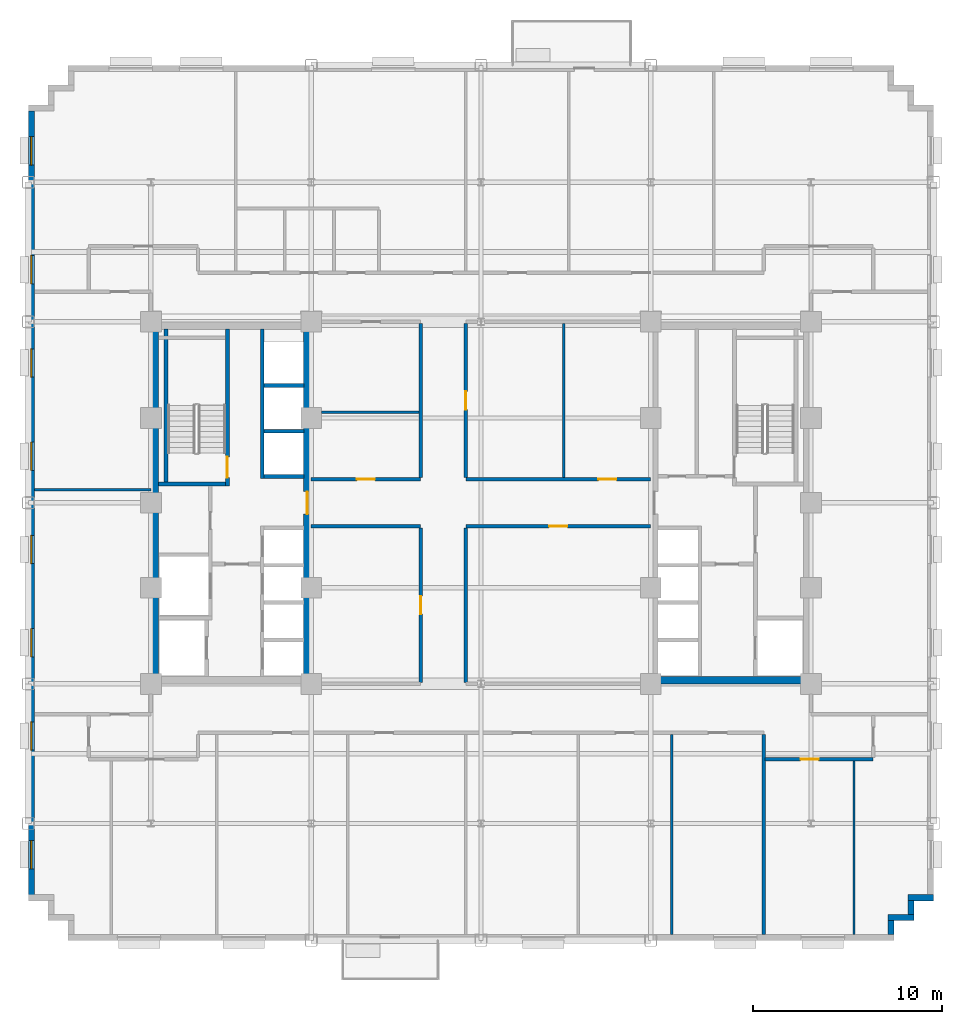
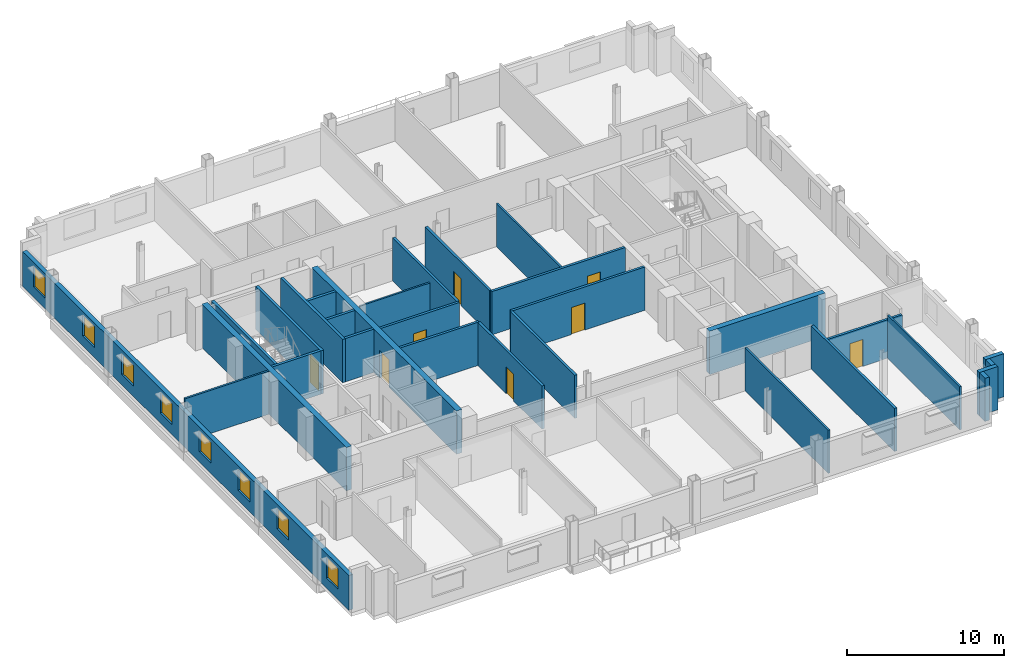
# One storey, part 7 of 14: 30 walls, 8 doors, 8 windows, 16 openings.
"""IFC4 building model written with IfcOpenShell, lengths in metres."""

from ifc_helpers import new_model, si_unit, direction, frame, frame_2d, origin, place, context, subcontext, project, spatial, rectangle, extrude, source, transform, mapped, material, layer, layer_set, type_object, type_shapes, element, fill, save


model = new_model("IFC4")

# Units and contexts
model_context = context("Model", 3, precision=1e-05, world=origin(), true_north=direction((0.0, 1.0)))
body_context = subcontext(model_context, "Body", "Model", "MODEL_VIEW")
ifc_project = project(units=[si_unit("LENGTHUNIT", "METRE"), si_unit("AREAUNIT", "SQUARE_METRE"), si_unit("VOLUMEUNIT", "CUBIC_METRE"), si_unit("PLANEANGLEUNIT", "RADIAN"), si_unit("MASSUNIT", "GRAM", prefix="KILO")], contexts=[model_context])

# Site, building, storey
site_placement = place(None, origin())
site = spatial("IfcSite", under=ifc_project, at=site_placement, CompositionType="ELEMENT")
building_placement = place(site_placement, origin())
building = spatial("IfcBuilding", under=site, at=building_placement, Name="Nuvemarco Arch Tower", CompositionType="ELEMENT")
storey_placement = place(building_placement, frame((0.0, 0.0, 98.300048828125)))
storey = spatial("IfcBuildingStorey", under=building, at=storey_placement, Name="L25", CompositionType="ELEMENT", Elevation=98.300048828125)

# Walls
ifc_material_1 = material(Name="Precast concrete C45/55", Category="concrete")
ifc_layer_1 = layer(ifc_material_1, 0.320068359375, Name="EW-MID-320")
ifc_layer_set_1 = layer_set([ifc_layer_1], Name="Precast concrete C45/55")
wall_type_1 = type_object("IfcWallType", Name="EW-MID-320", PredefinedType="STANDARD", material=ifc_layer_set_1)
wall_1_placement = place(storey_placement, frame((21.739990234375, -22.884033203125, 0.0), z_axis=(0.0, 0.0, 1.0), x_axis=(0.0, 1.0, 0.0)))
element("IfcWall", 1, at=wall_1_placement, inside=storey, type_object=wall_type_1, Name="L25 exterior precast facade wall 2", PredefinedType="STANDARD", context=body_context, shape_type="SweptSolid", body=[
    extrude(rectangle(XDim=0.738037109375, YDim=0.320068359375, at=frame_2d((0.369140625, 0.0))), origin(), (0.0, 0.0, 1.0), 3.35986328125),
])
wall_2_placement = place(storey_placement, frame((21.580078125, -21.989990234375, 0.0), z_axis=(0.0, 0.0, 1.0), x_axis=(1.0, 0.0, 0.0)))
element("IfcWall", 2, at=wall_2_placement, inside=storey, type_object=wall_type_1, Name="L25 exterior precast facade wall 3", PredefinedType="STANDARD", context=body_context, shape_type="SweptSolid", body=[
    extrude(rectangle(XDim=1.369873046875, YDim=0.320068359375, at=frame_2d((0.68505859375, 0.0))), origin(), (0.0, 0.0, 1.0), 3.35986328125),
])
wall_3_placement = place(storey_placement, frame((22.7900390625, -21.833984375, 0.0), z_axis=(0.0, 0.0, 1.0), x_axis=(0.0, 1.0, 0.0)))
element("IfcWall", 3, at=wall_3_placement, inside=storey, type_object=wall_type_1, Name="L25 exterior precast facade wall 4", PredefinedType="STANDARD", context=body_context, shape_type="SweptSolid", body=[
    extrude(rectangle(XDim=0.738037109375, YDim=0.320068359375, at=frame_2d((0.369140625, 0.0))), origin(), (0.0, 0.0, 1.0), 3.35986328125),
])
wall_4_placement = place(storey_placement, frame((22.6298828125, -20.93994140625, 0.0), z_axis=(0.0, 0.0, 1.0), x_axis=(1.0, 0.0, 0.0)))
element("IfcWall", 4, at=wall_4_placement, inside=storey, type_object=wall_type_1, Name="L25 exterior precast facade wall 5", PredefinedType="STANDARD", context=body_context, shape_type="SweptSolid", body=[
    extrude(rectangle(XDim=1.3701171875, YDim=0.320068359375, at=frame_2d((0.68505859375, 0.0))), origin(), (0.0, 0.0, 1.0), 3.35986328125),
])

# Wall, openings, windows
wall_5_placement = place(storey_placement, frame((-23.840087890625, -20.783935546875, 0.0), z_axis=(0.0, 0.0, 1.0), x_axis=(0.0, 1.0, 0.0)))
wall_5 = element("IfcWall", 5, at=wall_5_placement, inside=storey, type_object=wall_type_1, Name="L25 exterior precast facade wall 16", PredefinedType="STANDARD", context=body_context, shape_type="SweptSolid", body=[
    extrude(rectangle(XDim=41.56787109375, YDim=0.320068359375, at=frame_2d((20.783935546875, 0.0))), origin(), (0.0, 0.0, 1.0), 2.704833984375),
])
opening_1_placement = place(wall_5_placement, frame((1.373046875, 0.0, 0.800048828125)))
opening_1 = element("IfcOpeningElement", 6, at=opening_1_placement, cuts=wall_5, Name="Opening WN-11", PredefinedType="OPENING", context=body_context, shape_type="SweptSolid", body=[
    extrude(rectangle(XDim=1.5, YDim=1.60009765625, at=frame_2d((0.75, 0.800048828125))), frame((0.0, 0.169921875, 0.0), z_axis=(0.0, -1.0, 0.0), x_axis=(1.0, 0.0, 0.0)), (0.0, 0.0, 1.0), 0.340087890625),
])
opening_2_placement = place(wall_5_placement, frame((7.6689453125, 0.0, 0.800048828125)))
opening_2 = element("IfcOpeningElement", 7, at=opening_2_placement, cuts=wall_5, Name="Opening WN-11", PredefinedType="OPENING", context=body_context, shape_type="SweptSolid", body=[
    extrude(rectangle(XDim=1.5, YDim=1.60009765625, at=frame_2d((0.75, 0.800048828125))), frame((0.0, 0.169921875, 0.0), z_axis=(0.0, -1.0, 0.0), x_axis=(1.0, 0.0, 0.0)), (0.0, 0.0, 1.0), 0.340087890625),
])
opening_3_placement = place(wall_5_placement, frame((12.614990234375, 0.0, 0.800048828125)))
opening_3 = element("IfcOpeningElement", 8, at=opening_3_placement, cuts=wall_5, Name="Opening WN-11", PredefinedType="OPENING", context=body_context, shape_type="SweptSolid", body=[
    extrude(rectangle(XDim=1.5, YDim=1.60009765625, at=frame_2d((0.75, 0.800048828125))), frame((0.0, 0.169921875, 0.0), z_axis=(0.0, -1.0, 0.0), x_axis=(1.0, 0.0, 0.0)), (0.0, 0.0, 1.0), 0.340087890625),
])
opening_4_placement = place(wall_5_placement, frame((17.56103515625, 0.0, 0.800048828125)))
opening_4 = element("IfcOpeningElement", 9, at=opening_4_placement, cuts=wall_5, Name="Opening WN-11", PredefinedType="OPENING", context=body_context, shape_type="SweptSolid", body=[
    extrude(rectangle(XDim=1.5, YDim=1.60009765625, at=frame_2d((0.75, 0.800048828125))), frame((0.0, 0.169921875, 0.0), z_axis=(0.0, -1.0, 0.0), x_axis=(1.0, 0.0, 0.0)), (0.0, 0.0, 1.0), 0.340087890625),
])
opening_5_placement = place(wall_5_placement, frame((22.507080078125, 0.0, 0.800048828125)))
opening_5 = element("IfcOpeningElement", 10, at=opening_5_placement, cuts=wall_5, Name="Opening WN-11", PredefinedType="OPENING", context=body_context, shape_type="SweptSolid", body=[
    extrude(rectangle(XDim=1.5, YDim=1.60009765625, at=frame_2d((0.75, 0.800048828125))), frame((0.0, 0.169921875, 0.0), z_axis=(0.0, -1.0, 0.0), x_axis=(1.0, 0.0, 0.0)), (0.0, 0.0, 1.0), 0.340087890625),
])
opening_6_placement = place(wall_5_placement, frame((27.452880859375, 0.0, 0.800048828125)))
opening_6 = element("IfcOpeningElement", 11, at=opening_6_placement, cuts=wall_5, Name="Opening WN-11", PredefinedType="OPENING", context=body_context, shape_type="SweptSolid", body=[
    extrude(rectangle(XDim=1.5, YDim=1.60009765625, at=frame_2d((0.75, 0.800048828125))), frame((0.0, 0.169921875, 0.0), z_axis=(0.0, -1.0, 0.0), x_axis=(1.0, 0.0, 0.0)), (0.0, 0.0, 1.0), 0.340087890625),
])
opening_7_placement = place(wall_5_placement, frame((32.39892578125, 0.0, 0.800048828125)))
opening_7 = element("IfcOpeningElement", 12, at=opening_7_placement, cuts=wall_5, Name="Opening WN-11", PredefinedType="OPENING", context=body_context, shape_type="SweptSolid", body=[
    extrude(rectangle(XDim=1.5, YDim=1.60009765625, at=frame_2d((0.75, 0.800048828125))), frame((0.0, 0.169921875, 0.0), z_axis=(0.0, -1.0, 0.0), x_axis=(1.0, 0.0, 0.0)), (0.0, 0.0, 1.0), 0.340087890625),
])
opening_8_placement = place(wall_5_placement, frame((38.695068359375, 0.0, 0.800048828125)))
opening_8 = element("IfcOpeningElement", 13, at=opening_8_placement, cuts=wall_5, Name="Opening WN-11", PredefinedType="OPENING", context=body_context, shape_type="SweptSolid", body=[
    extrude(rectangle(XDim=1.5, YDim=1.60009765625, at=frame_2d((0.75, 0.800048828125))), frame((0.0, 0.169921875, 0.0), z_axis=(0.0, -1.0, 0.0), x_axis=(1.0, 0.0, 0.0)), (0.0, 0.0, 1.0), 0.340087890625),
])
ifc_material_2 = material(Name="Insulated solar-control glass", Category="glass")
window_type = type_object("IfcWindowType", Name="WN-STEP-1500x1850", PartitioningType="SINGLE_PANEL", PredefinedType="WINDOW", material=ifc_material_2)
shared_shape_1 = source(origin(), body_context, "Body", "SweptSolid", [
    extrude(rectangle(XDim=1.5, YDim=1.60009765625, at=frame_2d((0.75, 0.800048828125))), frame((0.0, 0.030029296875, 0.0), z_axis=(0.0, -1.0, 0.0), x_axis=(1.0, 0.0, 0.0)), (0.0, 0.0, 1.0), 0.06005859375),
])
type_shapes(window_type, [shared_shape_1])
window_1_placement = place(opening_1_placement, origin())
window_1 = element("IfcWindow", 14, at=window_1_placement, inside=storey, type_object=window_type, Name="L25 punched facade window 1", OverallHeight=1.60009765625, OverallWidth=1.5, PartitioningType="SINGLE_PANEL", PredefinedType="WINDOW", context=body_context, shape_type="MappedRepresentation", body=[
    mapped(shared_shape_1, transform((0.0, 0.0, 0.0), scale=1.0)),
])
fill(opening_1, window_1)
window_2_placement = place(opening_2_placement, origin())
window_2 = element("IfcWindow", 15, at=window_2_placement, inside=storey, type_object=window_type, Name="L25 punched facade window 2", OverallHeight=1.60009765625, OverallWidth=1.5, PartitioningType="SINGLE_PANEL", PredefinedType="WINDOW", context=body_context, shape_type="MappedRepresentation", body=[
    mapped(shared_shape_1, transform((0.0, 0.0, 0.0), scale=1.0)),
])
fill(opening_2, window_2)
window_3_placement = place(opening_3_placement, origin())
window_3 = element("IfcWindow", 16, at=window_3_placement, inside=storey, type_object=window_type, Name="L25 punched facade window 3", OverallHeight=1.60009765625, OverallWidth=1.5, PartitioningType="SINGLE_PANEL", PredefinedType="WINDOW", context=body_context, shape_type="MappedRepresentation", body=[
    mapped(shared_shape_1, transform((0.0, 0.0, 0.0), scale=1.0)),
])
fill(opening_3, window_3)
window_4_placement = place(opening_4_placement, origin())
window_4 = element("IfcWindow", 17, at=window_4_placement, inside=storey, type_object=window_type, Name="L25 punched facade window 4", OverallHeight=1.60009765625, OverallWidth=1.5, PartitioningType="SINGLE_PANEL", PredefinedType="WINDOW", context=body_context, shape_type="MappedRepresentation", body=[
    mapped(shared_shape_1, transform((0.0, 0.0, 0.0), scale=1.0)),
])
fill(opening_4, window_4)
window_5_placement = place(opening_5_placement, origin())
window_5 = element("IfcWindow", 18, at=window_5_placement, inside=storey, type_object=window_type, Name="L25 punched facade window 5", OverallHeight=1.60009765625, OverallWidth=1.5, PartitioningType="SINGLE_PANEL", PredefinedType="WINDOW", context=body_context, shape_type="MappedRepresentation", body=[
    mapped(shared_shape_1, transform((0.0, 0.0, 0.0), scale=1.0)),
])
fill(opening_5, window_5)
window_6_placement = place(opening_6_placement, origin())
window_6 = element("IfcWindow", 19, at=window_6_placement, inside=storey, type_object=window_type, Name="L25 punched facade window 6", OverallHeight=1.60009765625, OverallWidth=1.5, PartitioningType="SINGLE_PANEL", PredefinedType="WINDOW", context=body_context, shape_type="MappedRepresentation", body=[
    mapped(shared_shape_1, transform((0.0, 0.0, 0.0), scale=1.0)),
])
fill(opening_6, window_6)
window_7_placement = place(opening_7_placement, origin())
window_7 = element("IfcWindow", 20, at=window_7_placement, inside=storey, type_object=window_type, Name="L25 punched facade window 7", OverallHeight=1.60009765625, OverallWidth=1.5, PartitioningType="SINGLE_PANEL", PredefinedType="WINDOW", context=body_context, shape_type="MappedRepresentation", body=[
    mapped(shared_shape_1, transform((0.0, 0.0, 0.0), scale=1.0)),
])
fill(opening_7, window_7)
window_8_placement = place(opening_8_placement, origin())
window_8 = element("IfcWindow", 21, at=window_8_placement, inside=storey, type_object=window_type, Name="L25 punched facade window 8", OverallHeight=1.60009765625, OverallWidth=1.5, PartitioningType="SINGLE_PANEL", PredefinedType="WINDOW", context=body_context, shape_type="MappedRepresentation", body=[
    mapped(shared_shape_1, transform((0.0, 0.0, 0.0), scale=1.0)),
])
fill(opening_8, window_8)

# Wall
ifc_material_3 = material(Name="Concrete C60/75", Category="concrete")
ifc_layer_2 = layer(ifc_material_3, 0.39990234375, Name="WL-CORE-400")
ifc_layer_set_2 = layer_set([ifc_layer_2], Name="Concrete C60/75")
wall_type_2 = type_object("IfcWallType", Name="WL-CORE-400", PredefinedType="SHEAR", material=ifc_layer_set_2)
wall_6_placement = place(storey_placement, frame((-17.300048828125, -9.205078125, 0.0), z_axis=(0.0, 0.0, 1.0), x_axis=(0.0, 1.0, 0.0)))
element("IfcWall", 22, at=wall_6_placement, inside=storey, type_object=wall_type_2, Name="L25 W-core shear wall W", PredefinedType="SHEAR", context=body_context, shape_type="SweptSolid", body=[
    extrude(rectangle(XDim=18.41015625, YDim=0.39990234375, at=frame_2d((9.205078125, 0.0))), origin(), (0.0, 0.0, 1.0), 3.369873046875),
])

# Wall, opening, door
wall_7_placement = place(storey_placement, frame((-9.199951171875, -9.205078125, 0.0), z_axis=(0.0, 0.0, 1.0), x_axis=(0.0, 1.0, 0.0)))
wall_7 = element("IfcWall", 23, at=wall_7_placement, inside=storey, type_object=wall_type_2, Name="L25 W-core shear wall E", PredefinedType="SHEAR", context=body_context, shape_type="SweptSolid", body=[
    extrude(rectangle(XDim=18.41015625, YDim=0.39990234375, at=frame_2d((9.205078125, 0.0))), origin(), (0.0, 0.0, 1.0), 3.369873046875),
])
opening_9_placement = place(wall_7_placement, frame((8.60498046875, 0.0, 0.0)))
opening_9 = element("IfcOpeningElement", 24, at=opening_9_placement, cuts=wall_7, Name="Opening FD-2", PredefinedType="OPENING", context=body_context, shape_type="SweptSolid", body=[
    extrude(rectangle(XDim=1.199951171875, YDim=2.14990234375, at=frame_2d((0.60009765625, 1.074951171875))), frame((0.0, 0.2099609375, 0.0), z_axis=(0.0, -1.0, 0.0), x_axis=(1.0, 0.0, 0.0)), (0.0, 0.0, 1.0), 0.419921875),
])
ifc_material_4 = material(Name="Anodised steel fire door", Category="steel")
door_type_1 = type_object("IfcDoorType", Name="DR-FFLOB-FD", OperationType="NOTDEFINED", PredefinedType="DOOR", material=ifc_material_4)
shared_shape_2 = source(origin(), body_context, "Body", "SweptSolid", [
    extrude(rectangle(XDim=1.199951171875, YDim=2.14990234375, at=frame_2d((0.60009765625, 1.074951171875))), frame((0.0, 0.02490234375, 0.0), z_axis=(0.0, -1.0, 0.0), x_axis=(1.0, 0.0, 0.0)), (0.0, 0.0, 1.0), 0.050048828125),
])
type_shapes(door_type_1, [shared_shape_2])
door_1_placement = place(opening_9_placement, origin())
door_1 = element("IfcDoor", 25, at=door_1_placement, inside=storey, type_object=door_type_1, Name="L25 door FD-L25-WCORE-E", OperationType="SINGLE_SWING_RIGHT", OverallHeight=2.14990234375, OverallWidth=1.199951171875, PredefinedType="DOOR", context=body_context, shape_type="MappedRepresentation", body=[
    mapped(shared_shape_2, transform((0.0, 0.0, 0.0), scale=1.0)),
])
fill(opening_9, door_1)

# Wall
wall_8_placement = place(storey_placement, frame((9.0, -9.39990234375, 0.0), z_axis=(0.0, 0.0, 1.0), x_axis=(1.0, 0.0, 0.0)))
element("IfcWall", 26, at=wall_8_placement, inside=storey, type_object=wall_type_2, Name="L25 E-core shear wall S", PredefinedType="SHEAR", context=body_context, shape_type="SweptSolid", body=[
    extrude(rectangle(XDim=8.5, YDim=0.39990234375, at=frame_2d((4.25, 0.0))), origin(), (0.0, 0.0, 1.0), 3.369873046875),
])

# Wall, opening, door
ifc_material_5 = material(Name="Fire-rated gypsum drywall partition")
ifc_layer_3 = layer(ifc_material_5, 0.179931640625, Name="WL-CORR-180")
ifc_layer_set_3 = layer_set([ifc_layer_3], Name="Fire-rated gypsum drywall partition")
wall_type_3 = type_object("IfcWallType", Name="WL-CORR-180", PredefinedType="PARTITIONING", material=ifc_layer_set_3)
wall_9_placement = place(storey_placement, frame((15.070068359375, -13.60009765625, 0.0), z_axis=(0.0, 0.0, 1.0), x_axis=(1.0, 0.0, 0.0)))
wall_9 = element("IfcWall", 27, at=wall_9_placement, inside=storey, type_object=wall_type_3, Name="L25 interior wall IW-L25-002", PredefinedType="PARTITIONING", context=body_context, shape_type="SweptSolid", body=[
    extrude(rectangle(XDim=5.72998046875, YDim=0.179931640625, at=frame_2d((2.864990234375, 0.0))), origin(), (0.0, 0.0, 1.0), 2.998046875),
])
opening_10_placement = place(wall_9_placement, frame((1.875, 0.0, 0.0)))
opening_10 = element("IfcOpeningElement", 28, at=opening_10_placement, cuts=wall_9, Name="Opening FD-5", PredefinedType="OPENING", context=body_context, shape_type="SweptSolid", body=[
    extrude(rectangle(XDim=0.9599609375, YDim=2.10009765625, at=frame_2d((0.47998046875, 1.050048828125))), frame((0.0, 0.099853515625, 0.0), z_axis=(0.0, -1.0, 0.0), x_axis=(1.0, 0.0, 0.0)), (0.0, 0.0, 1.0), 0.199951171875),
])
ifc_material_6 = material(Name="Timber fire door", Category="wood")
door_type_2 = type_object("IfcDoorType", Name="DR-CORR-FD", OperationType="NOTDEFINED", PredefinedType="DOOR", material=ifc_material_6)
shared_shape_3 = source(origin(), body_context, "Body", "SweptSolid", [
    extrude(rectangle(XDim=0.9599609375, YDim=2.10009765625, at=frame_2d((0.47998046875, 1.050048828125))), frame((0.0, 0.02490234375, 0.0), z_axis=(0.0, -1.0, 0.0), x_axis=(1.0, 0.0, 0.0)), (0.0, 0.0, 1.0), 0.050048828125),
])
type_shapes(door_type_2, [shared_shape_3])
door_2_placement = place(opening_10_placement, origin())
door_2 = element("IfcDoor", 29, at=door_2_placement, inside=storey, type_object=door_type_2, Name="L25 door DR-L25-S_8", OperationType="SINGLE_SWING_LEFT", OverallHeight=2.10009765625, OverallWidth=0.9599609375, PredefinedType="DOOR", context=body_context, shape_type="MappedRepresentation", body=[
    mapped(shared_shape_3, transform((0.0, 0.0, 0.0), scale=1.0)),
])
fill(opening_10, door_2)

# Wall
wall_10_placement = place(storey_placement, frame((-9.0, -1.25, 0.0), z_axis=(0.0, 0.0, 1.0), x_axis=(1.0, 0.0, 0.0)))
element("IfcWall", 30, at=wall_10_placement, inside=storey, type_object=wall_type_3, Name="L25 interior wall IW-L25-009", PredefinedType="PARTITIONING", context=body_context, shape_type="SweptSolid", body=[
    extrude(rectangle(XDim=5.800048828125, YDim=0.179931640625, at=frame_2d((2.89990234375, 0.0))), origin(), (0.0, 0.0, 1.0), 3.35986328125),
])

# Wall, opening, door
wall_11_placement = place(storey_placement, frame((-0.800048828125, -1.25, 0.0), z_axis=(0.0, 0.0, 1.0), x_axis=(1.0, 0.0, 0.0)))
wall_11 = element("IfcWall", 31, at=wall_11_placement, inside=storey, type_object=wall_type_3, Name="L25 interior wall IW-L25-010", PredefinedType="PARTITIONING", context=body_context, shape_type="SweptSolid", body=[
    extrude(rectangle(XDim=9.800048828125, YDim=0.179931640625, at=frame_2d((4.89990234375, 0.0))), origin(), (0.0, 0.0, 1.0), 3.35986328125),
])
opening_11_placement = place(wall_11_placement, frame((4.419921875, 0.0, 0.0)))
opening_11 = element("IfcOpeningElement", 32, at=opening_11_placement, cuts=wall_11, Name="Opening FD-5", PredefinedType="OPENING", context=body_context, shape_type="SweptSolid", body=[
    extrude(rectangle(XDim=0.9599609375, YDim=2.10009765625, at=frame_2d((0.47998046875, 1.050048828125))), frame((0.0, 0.099853515625, 0.0), z_axis=(0.0, -1.0, 0.0), x_axis=(1.0, 0.0, 0.0)), (0.0, 0.0, 1.0), 0.199951171875),
])
door_3_placement = place(opening_11_placement, origin())
door_3 = element("IfcDoor", 33, at=door_3_placement, inside=storey, type_object=door_type_2, Name="L25 door DR-L25-C_SE", OperationType="SINGLE_SWING_RIGHT", OverallHeight=2.10009765625, OverallWidth=0.9599609375, PredefinedType="DOOR", context=body_context, shape_type="MappedRepresentation", body=[
    mapped(shared_shape_3, transform((0.0, 0.0, 0.0), scale=1.0)),
])
fill(opening_11, door_3)

wall_12_placement = place(storey_placement, frame((-9.0, 1.25, 0.0), z_axis=(0.0, 0.0, 1.0), x_axis=(1.0, 0.0, 0.0)))
wall_12 = element("IfcWall", 34, at=wall_12_placement, inside=storey, type_object=wall_type_3, Name="L25 interior wall IW-L25-012", PredefinedType="PARTITIONING", context=body_context, shape_type="SweptSolid", body=[
    extrude(rectangle(XDim=5.800048828125, YDim=0.179931640625, at=frame_2d((2.89990234375, 0.0))), origin(), (0.0, 0.0, 1.0), 3.35986328125),
])
opening_12_placement = place(wall_12_placement, frame((2.419921875, 0.0, 0.0)))
opening_12 = element("IfcOpeningElement", 35, at=opening_12_placement, cuts=wall_12, Name="Opening FD-5", PredefinedType="OPENING", context=body_context, shape_type="SweptSolid", body=[
    extrude(rectangle(XDim=0.9599609375, YDim=2.10009765625, at=frame_2d((0.47998046875, 1.050048828125))), frame((0.0, 0.099853515625, 0.0), z_axis=(0.0, -1.0, 0.0), x_axis=(1.0, 0.0, 0.0)), (0.0, 0.0, 1.0), 0.199951171875),
])
door_4_placement = place(opening_12_placement, origin())
door_4 = element("IfcDoor", 36, at=door_4_placement, inside=storey, type_object=door_type_2, Name="L25 door DR-L25-C_NW1", OperationType="SINGLE_SWING_RIGHT", OverallHeight=2.10009765625, OverallWidth=0.9599609375, PredefinedType="DOOR", context=body_context, shape_type="MappedRepresentation", body=[
    mapped(shared_shape_3, transform((0.0, 0.0, 0.0), scale=1.0)),
])
fill(opening_12, door_4)

wall_13_placement = place(storey_placement, frame((-0.800048828125, 1.25, 0.0), z_axis=(0.0, 0.0, 1.0), x_axis=(1.0, 0.0, 0.0)))
wall_13 = element("IfcWall", 37, at=wall_13_placement, inside=storey, type_object=wall_type_3, Name="L25 interior wall IW-L25-013", PredefinedType="PARTITIONING", context=body_context, shape_type="SweptSolid", body=[
    extrude(rectangle(XDim=9.800048828125, YDim=0.179931640625, at=frame_2d((4.89990234375, 0.0))), origin(), (0.0, 0.0, 1.0), 3.35986328125),
])
opening_13_placement = place(wall_13_placement, frame((7.02001953125, 0.0, 0.0)))
opening_13 = element("IfcOpeningElement", 38, at=opening_13_placement, cuts=wall_13, Name="Opening FD-5", PredefinedType="OPENING", context=body_context, shape_type="SweptSolid", body=[
    extrude(rectangle(XDim=0.9599609375, YDim=2.10009765625, at=frame_2d((0.47998046875, 1.050048828125))), frame((0.0, 0.099853515625, 0.0), z_axis=(0.0, -1.0, 0.0), x_axis=(1.0, 0.0, 0.0)), (0.0, 0.0, 1.0), 0.199951171875),
])
door_5_placement = place(opening_13_placement, origin())
door_5 = element("IfcDoor", 39, at=door_5_placement, inside=storey, type_object=door_type_2, Name="L25 door DR-L25-C_NE2", OperationType="SINGLE_SWING_RIGHT", OverallHeight=2.10009765625, OverallWidth=0.9599609375, PredefinedType="DOOR", context=body_context, shape_type="MappedRepresentation", body=[
    mapped(shared_shape_3, transform((0.0, 0.0, 0.0), scale=1.0)),
])
fill(opening_13, door_5)

wall_14_placement = place(storey_placement, frame((-3.199951171875, -9.513916015625, 0.0), z_axis=(0.0, 0.0, 1.0), x_axis=(0.0, 1.0, 0.0)))
wall_14 = element("IfcWall", 40, at=wall_14_placement, inside=storey, type_object=wall_type_3, Name="L25 interior wall IW-L25-037", PredefinedType="PARTITIONING", context=body_context, shape_type="SweptSolid", body=[
    extrude(rectangle(XDim=8.177978515625, YDim=0.179931640625, at=frame_2d((4.0888671875, 0.0))), origin(), (0.0, 0.0, 1.0), 3.35986328125),
])
opening_14_placement = place(wall_14_placement, frame((3.60888671875, 0.0, 0.0)))
opening_14 = element("IfcOpeningElement", 41, at=opening_14_placement, cuts=wall_14, Name="Opening FD-5", PredefinedType="OPENING", context=body_context, shape_type="SweptSolid", body=[
    extrude(rectangle(XDim=0.9599609375, YDim=2.10009765625, at=frame_2d((0.47998046875, 1.050048828125))), frame((0.0, 0.099853515625, 0.0), z_axis=(0.0, -1.0, 0.0), x_axis=(1.0, 0.0, 0.0)), (0.0, 0.0, 1.0), 0.199951171875),
])
door_6_placement = place(opening_14_placement, origin())
door_6 = element("IfcDoor", 42, at=door_6_placement, inside=storey, type_object=door_type_2, Name="L25 door DR-L25-C_SW", OperationType="SINGLE_SWING_LEFT", OverallHeight=2.10009765625, OverallWidth=0.9599609375, PredefinedType="DOOR", context=body_context, shape_type="MappedRepresentation", body=[
    mapped(shared_shape_3, transform((0.0, 0.0, 0.0), scale=1.0)),
])
fill(opening_14, door_6)

# Walls
for number, where, z_axis, x_axis, name in (
    (43, (-3.199951171875, 1.3359375, 0.0), (0.0, 0.0, 1.0), (0.0, 1.0, 0.0), "L25 interior wall IW-L25-038"),
    (44, (-0.800048828125, -9.513916015625, 0.0), (0.0, 0.0, 1.0), (0.0, 1.0, 0.0), "L25 interior wall IW-L25-040"),
):
    element("IfcWall", number, at=place(storey_placement, frame(where, z_axis=z_axis, x_axis=x_axis)), inside=storey, type_object=wall_type_3, Name=name, PredefinedType="PARTITIONING", context=body_context, shape_type="SweptSolid", body=[
        extrude(rectangle(XDim=8.177978515625, YDim=0.179931640625, at=frame_2d((4.0888671875, 0.0))), origin(), (0.0, 0.0, 1.0), 3.35986328125),
    ])

# Wall, opening, door
wall_15_placement = place(storey_placement, frame((-0.800048828125, 1.3359375, 0.0), z_axis=(0.0, 0.0, 1.0), x_axis=(0.0, 1.0, 0.0)))
wall_15 = element("IfcWall", 45, at=wall_15_placement, inside=storey, type_object=wall_type_3, Name="L25 interior wall IW-L25-041", PredefinedType="PARTITIONING", context=body_context, shape_type="SweptSolid", body=[
    extrude(rectangle(XDim=8.177978515625, YDim=0.179931640625, at=frame_2d((4.0888671875, 0.0))), origin(), (0.0, 0.0, 1.0), 3.35986328125),
])
opening_15_placement = place(wall_15_placement, frame((3.60888671875, 0.0, 0.0)))
opening_15 = element("IfcOpeningElement", 46, at=opening_15_placement, cuts=wall_15, Name="Opening FD-5", PredefinedType="OPENING", context=body_context, shape_type="SweptSolid", body=[
    extrude(rectangle(XDim=0.9599609375, YDim=2.10009765625, at=frame_2d((0.47998046875, 1.050048828125))), frame((0.0, 0.099853515625, 0.0), z_axis=(0.0, -1.0, 0.0), x_axis=(1.0, 0.0, 0.0)), (0.0, 0.0, 1.0), 0.199951171875),
])
door_7_placement = place(opening_15_placement, origin())
door_7 = element("IfcDoor", 47, at=door_7_placement, inside=storey, type_object=door_type_2, Name="L25 door DR-L25-C_NE1", OperationType="SINGLE_SWING_RIGHT", OverallHeight=2.10009765625, OverallWidth=0.9599609375, PredefinedType="DOOR", context=body_context, shape_type="MappedRepresentation", body=[
    mapped(shared_shape_3, transform((0.0, 0.0, 0.0), scale=1.0)),
])
fill(opening_15, door_7)

# Walls
wall_16_placement = place(storey_placement, frame((15.0, -22.8798828125, 0.0), z_axis=(0.0, 0.0, 1.0), x_axis=(0.0, 1.0, 0.0)))
element("IfcWall", 48, at=wall_16_placement, inside=storey, type_object=wall_type_3, Name="L25 interior wall IW-L25-048", PredefinedType="PARTITIONING", context=body_context, shape_type="SweptSolid", body=[
    extrude(rectangle(XDim=10.593994140625, YDim=0.179931640625, at=frame_2d((5.296875, 0.0))), origin(), (0.0, 0.0, 1.0), 3.35986328125),
])
ifc_material_7 = material(Name="Glazed acoustic office partition")
ifc_layer_4 = layer(ifc_material_7, 0.1298828125, Name="WL-EXEC-130")
ifc_layer_set_4 = layer_set([ifc_layer_4], Name="Glazed acoustic office partition")
wall_type_4 = type_object("IfcWallType", Name="WL-EXEC-130", PredefinedType="PARTITIONING", material=ifc_layer_set_4)
wall_17_placement = place(storey_placement, frame((-8.4541015625, 4.800048828125, 0.0), z_axis=(0.0, 0.0, 1.0), x_axis=(1.0, 0.0, 0.0)))
element("IfcWall", 49, at=wall_17_placement, inside=storey, type_object=wall_type_4, Name="L25 interior wall IW-L25-014", PredefinedType="PARTITIONING", context=body_context, shape_type="SweptSolid", body=[
    extrude(rectangle(XDim=5.168212890625, YDim=0.1298828125, at=frame_2d((2.583984375, 0.0))), origin(), (0.0, 0.0, 1.0), 2.738037109375),
])
wall_18_placement = place(storey_placement, frame((4.39990234375, 1.3359375, 0.0), z_axis=(0.0, 0.0, 1.0), x_axis=(0.0, 1.0, 0.0)))
element("IfcWall", 50, at=wall_18_placement, inside=storey, type_object=wall_type_4, Name="L25 interior wall IW-L25-043", PredefinedType="PARTITIONING", context=body_context, shape_type="SweptSolid", body=[
    extrude(rectangle(XDim=8.177978515625, YDim=0.1298828125, at=frame_2d((4.0888671875, 0.0))), origin(), (0.0, 0.0, 1.0), 3.35986328125),
])
wall_19_placement = place(storey_placement, frame((19.780029296875, -22.8798828125, 0.0), z_axis=(0.0, 0.0, 1.0), x_axis=(0.0, 1.0, 0.0)))
element("IfcWall", 51, at=wall_19_placement, inside=storey, type_object=wall_type_4, Name="L25 interior wall IW-L25-052", PredefinedType="PARTITIONING", context=body_context, shape_type="SweptSolid", body=[
    extrude(rectangle(XDim=9.19384765625, YDim=0.1298828125, at=frame_2d((4.596923828125, 0.0))), origin(), (0.0, 0.0, 1.0), 3.35986328125),
])
ifc_material_8 = material(Name="Gypsum plasterboard partition")
ifc_layer_5 = layer(ifc_material_8, 0.139892578125, Name="WL-ROOM-140")
ifc_layer_set_5 = layer_set([ifc_layer_5], Name="Gypsum plasterboard partition")
wall_type_5 = type_object("IfcWallType", Name="WL-ROOM-140", PredefinedType="PARTITIONING", material=ifc_layer_set_5)
wall_20_placement = place(storey_placement, frame((-23.679931640625, 0.699951171875, 0.0), z_axis=(0.0, 0.0, 1.0), x_axis=(1.0, 0.0, 0.0)))
element("IfcWall", 52, at=wall_20_placement, inside=storey, type_object=wall_type_5, Name="L25 interior wall IW-L25-011", PredefinedType="PARTITIONING", context=body_context, shape_type="SweptSolid", body=[
    extrude(rectangle(XDim=6.179931640625, YDim=0.139892578125, at=frame_2d((3.08984375, 0.0))), origin(), (0.0, 0.0, 1.0), 3.35986328125),
])
wall_21_placement = place(storey_placement, frame((10.110107421875, -22.8798828125, 0.0), z_axis=(0.0, 0.0, 1.0), x_axis=(0.0, 1.0, 0.0)))
element("IfcWall", 53, at=wall_21_placement, inside=storey, type_object=wall_type_5, Name="L25 interior wall IW-L25-046", PredefinedType="PARTITIONING", context=body_context, shape_type="SweptSolid", body=[
    extrude(rectangle(XDim=10.593994140625, YDim=0.139892578125, at=frame_2d((5.296875, 0.0))), origin(), (0.0, 0.0, 1.0), 3.35986328125),
])

# Wall, opening, door
ifc_material_9 = material(Name="Concrete C50/60", Category="concrete")
ifc_layer_6 = layer(ifc_material_9, 0.199951171875, Name="WL-SHAFT-220")
ifc_layer_set_6 = layer_set([ifc_layer_6], Name="Concrete C50/60")
wall_type_6 = type_object("IfcWallType", Name="WL-SHAFT-220", PredefinedType="SHEAR", material=ifc_layer_set_6)
wall_22_placement = place(storey_placement, frame((-13.43994140625, 0.89990234375, 0.0), z_axis=(0.0, 0.0, 1.0), x_axis=(0.0, 1.0, 0.0)))
wall_22 = element("IfcWall", 54, at=wall_22_placement, inside=storey, type_object=wall_type_6, Name="L25 structural shaft wall SW-L25-W-ST1E", PredefinedType="SHEAR", context=body_context, shape_type="SweptSolid", body=[
    extrude(rectangle(XDim=8.30517578125, YDim=0.199951171875, at=frame_2d((4.152587890625, 0.0))), origin(), (0.0, 0.0, 1.0), 3.369873046875),
])
opening_16_placement = place(wall_22_placement, frame((1.530029296875, 0.0, 0.0), z_axis=(0.0, 0.0, 1.0), x_axis=(-1.0, 0.0, 0.0)))
opening_16 = element("IfcOpeningElement", 55, at=opening_16_placement, cuts=wall_22, Name="Opening FD-1", PredefinedType="OPENING", context=body_context, shape_type="SweptSolid", body=[
    extrude(rectangle(XDim=1.10009765625, YDim=2.14990234375, at=frame_2d((0.550048828125, 1.074951171875))), frame((0.0, 0.10986328125, 0.0), z_axis=(0.0, -1.0, 0.0), x_axis=(1.0, 0.0, 0.0)), (0.0, 0.0, 1.0), 0.219970703125),
])
door_type_3 = type_object("IfcDoorType", Name="DR-STAIR-FD", OperationType="NOTDEFINED", PredefinedType="DOOR", material=ifc_material_4)
shared_shape_4 = source(origin(), body_context, "Body", "SweptSolid", [
    extrude(rectangle(XDim=1.10009765625, YDim=2.14990234375, at=frame_2d((0.550048828125, 1.074951171875))), frame((0.0, 0.02490234375, 0.0), z_axis=(0.0, -1.0, 0.0), x_axis=(1.0, 0.0, 0.0)), (0.0, 0.0, 1.0), 0.050048828125),
])
type_shapes(door_type_3, [shared_shape_4])
door_8_placement = place(opening_16_placement, origin())
door_8 = element("IfcDoor", 56, at=door_8_placement, inside=storey, type_object=door_type_3, Name="L25 door FD-L25-ST1", OperationType="SINGLE_SWING_RIGHT", OverallHeight=2.14990234375, OverallWidth=1.10009765625, PredefinedType="DOOR", context=body_context, shape_type="MappedRepresentation", body=[
    mapped(shared_shape_4, transform((0.0, 0.0, 0.0), scale=1.0)),
])
fill(opening_16, door_8)

# Walls
wall_23_placement = place(storey_placement, frame((-17.10498046875, 1.0, 0.0), z_axis=(0.0, 0.0, 1.0), x_axis=(1.0, 0.0, 0.0)))
element("IfcWall", 57, at=wall_23_placement, inside=storey, type_object=wall_type_6, Name="L25 structural shaft wall SW-L25-W-ST1S", PredefinedType="SHEAR", context=body_context, shape_type="SweptSolid", body=[
    extrude(rectangle(XDim=3.570068359375, YDim=0.199951171875, at=frame_2d((1.78515625, 0.0))), origin(), (0.0, 0.0, 1.0), 3.369873046875),
])
wall_24_placement = place(storey_placement, frame((-16.699951171875, 1.094970703125, 0.0), z_axis=(0.0, 0.0, 1.0), x_axis=(0.0, 1.0, 0.0)))
element("IfcWall", 58, at=wall_24_placement, inside=storey, type_object=wall_type_6, Name="L25 structural shaft wall SW-L25-W-ST1W", PredefinedType="SHEAR", context=body_context, shape_type="SweptSolid", body=[
    extrude(rectangle(XDim=8.110107421875, YDim=0.199951171875, at=frame_2d((4.05517578125, 0.0))), origin(), (0.0, 0.0, 1.0), 3.369873046875),
])
wall_25_placement = place(storey_placement, frame((-11.60009765625, 1.300048828125, 0.0), z_axis=(0.0, 0.0, 1.0), x_axis=(0.0, 1.0, 0.0)))
element("IfcWall", 59, at=wall_25_placement, inside=storey, type_object=wall_type_6, Name="L25 structural shaft wall SW-L25-W-PHW", PredefinedType="SHEAR", context=body_context, shape_type="SweptSolid", body=[
    extrude(rectangle(XDim=7.905029296875, YDim=0.199951171875, at=frame_2d((3.95263671875, 0.0))), origin(), (0.0, 0.0, 1.0), 3.369873046875),
])
for number, where, z_axis, x_axis, name in (
    (60, (-11.5048828125, 1.39990234375, 0.0), (0.0, 0.0, 1.0), (1.0, 0.0, 0.0), "L25 structural shaft wall SW-L25-W-PHD1"),
    (61, (-11.5048828125, 3.800048828125, 0.0), (0.0, 0.0, 1.0), (1.0, 0.0, 0.0), "L25 structural shaft wall SW-L25-W-PHD2"),
    (62, (-11.5048828125, 6.219970703125, 0.0), (0.0, 0.0, 1.0), (1.0, 0.0, 0.0), "L25 structural shaft wall SW-L25-W-PHD3"),
):
    element("IfcWall", number, at=place(storey_placement, frame(where, z_axis=z_axis, x_axis=x_axis)), inside=storey, type_object=wall_type_6, Name=name, PredefinedType="SHEAR", context=body_context, shape_type="SweptSolid", body=[
        extrude(rectangle(XDim=2.10986328125, YDim=0.199951171875, at=frame_2d((1.054931640625, 0.0))), origin(), (0.0, 0.0, 1.0), 3.369873046875),
    ])

save(model, "model.ifc")
